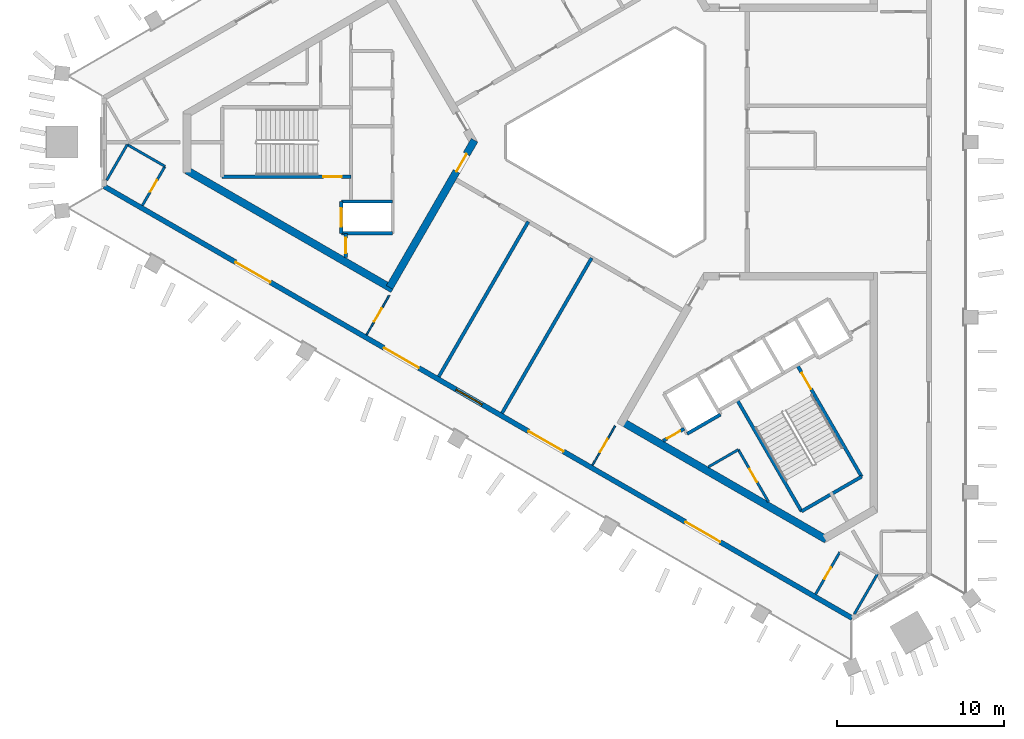
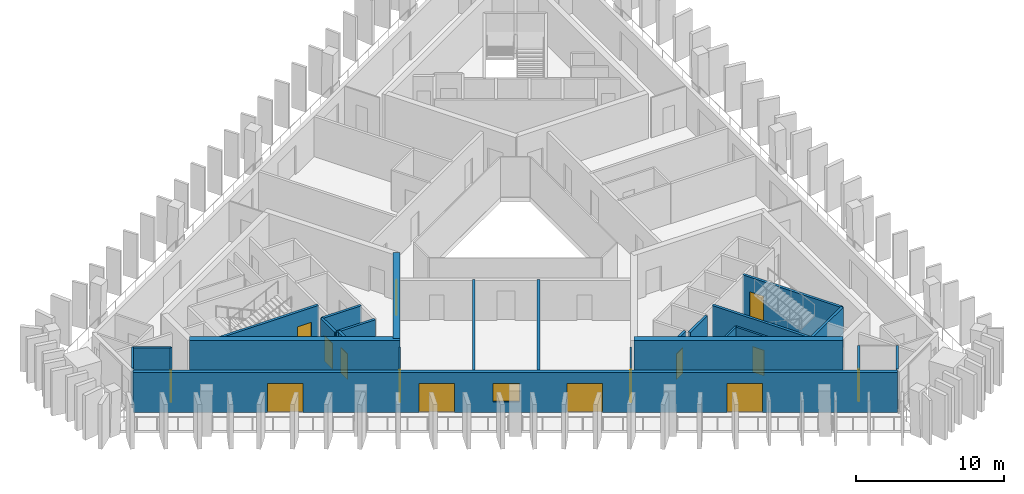
# One storey, part 2 of 9: 25 walls, 15 doors, 1 window, 16 openings.
"""IFC4 building model written with IfcOpenShell, lengths in metres."""

from ifc_helpers import new_model, si_unit, direction, frame, frame_2d, origin, place, context, subcontext, project, spatial, rectangle, extrude, material, layer, layer_set, type_object, element, fill, save


model = new_model("IFC4")

# Units and contexts
model_context = context("Model", 3, precision=1e-05, world=origin(), true_north=direction((0.0, 1.0)))
body_context = subcontext(model_context, "Body", "Model", "MODEL_VIEW")
ifc_project = project(units=[si_unit("LENGTHUNIT", "METRE"), si_unit("AREAUNIT", "SQUARE_METRE"), si_unit("VOLUMEUNIT", "CUBIC_METRE"), si_unit("PLANEANGLEUNIT", "RADIAN"), si_unit("MASSUNIT", "GRAM", prefix="KILO")], contexts=[model_context])

# Site, building, storey
site_placement = place(None, origin())
site = spatial("IfcSite", under=ifc_project, at=site_placement, CompositionType="ELEMENT")
building_placement = place(site_placement, origin())
building = spatial("IfcBuilding", under=site, at=building_placement, Name="Jabali Bay Hotel Tower and Convention Centre", CompositionType="ELEMENT")
storey_placement = place(building_placement, frame((0.0, 0.0, 205.800048828125)))
storey = spatial("IfcBuildingStorey", under=building, at=storey_placement, Name="L50", CompositionType="ELEMENT", Elevation=205.800048828125)

# Wall, opening, door
ifc_material_1 = material(Name="Concrete C40", Category="concrete")
ifc_layer_1 = layer(ifc_material_1, 0.199951171875)
ifc_layer_set_1 = layer_set([ifc_layer_1], Name="Concrete C40")
wall_type_1 = type_object("IfcWallType", Name="Core partition wall 200", PredefinedType="PARTITIONING", material=ifc_layer_set_1)
wall_1_placement = place(storey_placement, frame((58.10009765625, 74.550048828125, 0.0), z_axis=(0.0, 0.0, 1.0), x_axis=(0.0, -1.0, 0.0)))
wall_1 = element("IfcWall", 1, at=wall_1_placement, inside=storey, type_object=wall_type_1, Name="Core wall 0.11 L50", PredefinedType="PARTITIONING", context=body_context, shape_type="SweptSolid", body=[
    extrude(rectangle(XDim=1.455078125, YDim=0.199951171875, at=frame_2d((0.7275390625, 0.0))), origin(), (0.0, 0.0, 1.0), 3.300048828125),
])
opening_1_placement = place(wall_1_placement, frame((0.277587890625, 0.0, 0.0)))
opening_1 = element("IfcOpeningElement", 2, at=opening_1_placement, cuts=wall_1, Name="Opening D1079", PredefinedType="OPENING", context=body_context, shape_type="SweptSolid", body=[
    extrude(rectangle(XDim=0.89990234375, YDim=2.10009765625, at=frame_2d((0.449951171875, 1.050048828125))), frame((0.0, 0.1103515625, 0.0), z_axis=(0.0, -1.0, 0.0), x_axis=(1.0, 0.0, 0.0)), (0.0, 0.0, 1.0), 0.220947265625),
])
ifc_material_2 = material(Name="Fire-rated steel door", Category="steel")
door_type_1 = type_object("IfcDoorType", Name="Vestibule fire door 900 x 2100", OperationType="NOTDEFINED", PredefinedType="NOTDEFINED", material=ifc_material_2)
door_1_placement = place(opening_1_placement, origin())
door_1 = element("IfcDoor", 3, at=door_1_placement, inside=storey, type_object=door_type_1, Name="Vestibule fire door D1079", OperationType="SINGLE_SWING_LEFT", OverallHeight=2.10009765625, OverallWidth=0.89990234375, PredefinedType="NOTDEFINED", context=body_context, shape_type="SweptSolid", body=[
    extrude(rectangle(XDim=0.89990234375, YDim=2.10009765625, at=frame_2d((0.449951171875, 1.050048828125))), frame((0.0, 0.02490234375, 0.0), z_axis=(0.0, -1.0, 0.0), x_axis=(1.0, 0.0, 0.0)), (0.0, 0.0, 1.0), 0.050048828125),
])
fill(opening_1, door_1)

wall_2_placement = place(storey_placement, frame((77.070068359375, 62.142578125, 0.0), z_axis=(0.0, 0.0, 1.0), x_axis=(0.866013036001, 0.500021421018, 0.0)))
wall_2 = element("IfcWall", 4, at=wall_2_placement, inside=storey, type_object=wall_type_1, Name="Core wall 2.11 L50", PredefinedType="PARTITIONING", context=body_context, shape_type="SweptSolid", body=[
    extrude(rectangle(XDim=1.4609375, YDim=0.199951171875, at=frame_2d((0.73046875, 0.0))), origin(), (0.0, 0.0, 1.0), 3.300048828125),
])
opening_2_placement = place(wall_2_placement, frame((0.280517578125, 0.0, 0.0)))
opening_2 = element("IfcOpeningElement", 5, at=opening_2_placement, cuts=wall_2, Name="Opening D1092", PredefinedType="OPENING", context=body_context, shape_type="SweptSolid", body=[
    extrude(rectangle(XDim=0.89990234375, YDim=2.10009765625, at=frame_2d((0.449951171875, 1.050048828125))), frame((0.0, 0.1103515625, 0.0), z_axis=(0.0, -1.0, 0.0), x_axis=(1.0, 0.0, 0.0)), (0.0, 0.0, 1.0), 0.220947265625),
])
door_2_placement = place(opening_2_placement, origin())
door_2 = element("IfcDoor", 6, at=door_2_placement, inside=storey, type_object=door_type_1, Name="Vestibule fire door D1092", OperationType="SINGLE_SWING_LEFT", OverallHeight=2.10009765625, OverallWidth=0.89990234375, PredefinedType="NOTDEFINED", context=body_context, shape_type="SweptSolid", body=[
    extrude(rectangle(XDim=0.89990234375, YDim=2.10009765625, at=frame_2d((0.449951171875, 1.050048828125))), frame((0.0, 0.02490234375, 0.0), z_axis=(0.0, -1.0, 0.0), x_axis=(1.0, 0.0, 0.0)), (0.0, 0.0, 1.0), 0.050048828125),
])
fill(opening_2, door_2)

ifc_material_3 = material(Name="Fire-rated board partition")
ifc_layer_2 = layer(ifc_material_3, 0.14990234375)
ifc_layer_set_2 = layer_set([ifc_layer_2], Name="Fire-rated board partition")
wall_type_2 = type_object("IfcWallType", Name="Core room partition 150", PredefinedType="PARTITIONING", material=ifc_layer_set_2)
wall_3_placement = place(storey_placement, frame((81.56884765625, 61.622314453125, 0.0), z_axis=(0.0, 0.0, 1.0), x_axis=(0.500043557135, -0.866000254601, 0.0)))
wall_3 = element("IfcWall", 7, at=wall_3_placement, inside=storey, type_object=wall_type_2, Name="Core wall 2.1 L50", PredefinedType="PARTITIONING", context=body_context, shape_type="SweptSolid", body=[
    extrude(rectangle(XDim=3.597900390625, YDim=0.14990234375, at=frame_2d((1.798828125, 0.0))), origin(), (0.0, 0.0, 1.0), 3.300048828125),
])
opening_3_placement = place(wall_3_placement, frame((1.321533203125, 0.0, 0.0)))
opening_3 = element("IfcOpeningElement", 8, at=opening_3_placement, cuts=wall_3, Name="Opening D1094", PredefinedType="OPENING", context=body_context, shape_type="SweptSolid", body=[
    extrude(rectangle(XDim=0.89990234375, YDim=2.10009765625, at=frame_2d((0.449951171875, 1.050048828125))), frame((0.0, 0.08544921875, 0.0), z_axis=(0.0, -1.0, 0.0), x_axis=(1.0, 0.0, 0.0)), (0.0, 0.0, 1.0), 0.1708984375),
])
door_type_2 = type_object("IfcDoorType", Name="Core room door 900 x 2100", OperationType="NOTDEFINED", PredefinedType="NOTDEFINED", material=ifc_material_2)
door_3_placement = place(opening_3_placement, origin())
door_3 = element("IfcDoor", 9, at=door_3_placement, inside=storey, type_object=door_type_2, Name="Core room door D1094", OperationType="SINGLE_SWING_LEFT", OverallHeight=2.10009765625, OverallWidth=0.89990234375, PredefinedType="NOTDEFINED", context=body_context, shape_type="SweptSolid", body=[
    extrude(rectangle(XDim=0.89990234375, YDim=2.10009765625, at=frame_2d((0.449951171875, 1.050048828125))), frame((0.0, 0.02490234375, 0.0), z_axis=(0.0, -1.0, 0.0), x_axis=(1.0, 0.0, 0.0)), (0.0, 0.0, 1.0), 0.050048828125),
])
fill(opening_3, door_3)

# Wall
wall_4_placement = place(storey_placement, frame((79.77001953125, 60.583740234375, 0.0), z_axis=(0.0, 0.0, 1.0), x_axis=(0.866021168401, 0.500007335828, 0.0)))
element("IfcWall", 10, at=wall_4_placement, inside=storey, type_object=wall_type_2, Name="Core wall 2.16 L50", PredefinedType="PARTITIONING", context=body_context, shape_type="SweptSolid", body=[
    extrude(rectangle(XDim=2.0771484375, YDim=0.14990234375, at=frame_2d((1.03857421875, 0.0))), origin(), (0.0, 0.0, 1.0), 3.300048828125),
])

# Wall, opening, door
ifc_layer_3 = layer(ifc_material_1, 0.199951171875)
ifc_layer_set_3 = layer_set([ifc_layer_3], Name="Concrete C40")
wall_type_3 = type_object("IfcWallType", Name="Core stair wall 200", PredefinedType="SOLIDWALL", material=ifc_layer_set_3)
wall_5_placement = place(storey_placement, frame((58.419921875, 77.925048828125, 0.0), z_axis=(0.0, 0.0, 1.0), x_axis=(-1.0, 0.0, 0.0)))
wall_5 = element("IfcWall", 11, at=wall_5_placement, inside=storey, type_object=wall_type_3, Name="Core wall 0.6 L50", PredefinedType="SOLIDWALL", context=body_context, shape_type="SweptSolid", body=[
    extrude(rectangle(XDim=7.699951171875, YDim=0.199951171875, at=frame_2d((3.85009765625, 0.0))), origin(), (0.0, 0.0, 1.0), 3.300048828125),
])
opening_4_placement = place(wall_5_placement, frame((0.550048828125, 0.0, 0.0)))
opening_4 = element("IfcOpeningElement", 12, at=opening_4_placement, cuts=wall_5, Name="Opening D1081", PredefinedType="OPENING", context=body_context, shape_type="SweptSolid", body=[
    extrude(rectangle(XDim=1.10009765625, YDim=2.10009765625, at=frame_2d((0.550048828125, 1.050048828125))), frame((0.0, 0.1103515625, 0.0), z_axis=(0.0, -1.0, 0.0), x_axis=(1.0, 0.0, 0.0)), (0.0, 0.0, 1.0), 0.220947265625),
])
door_type_3 = type_object("IfcDoorType", Name="Stair fire door 1100 x 2100", OperationType="NOTDEFINED", PredefinedType="NOTDEFINED", material=ifc_material_2)
door_4_placement = place(opening_4_placement, origin())
door_4 = element("IfcDoor", 13, at=door_4_placement, inside=storey, type_object=door_type_3, Name="Stair fire door D1081", OperationType="SINGLE_SWING_RIGHT", OverallHeight=2.10009765625, OverallWidth=1.10009765625, PredefinedType="NOTDEFINED", context=body_context, shape_type="SweptSolid", body=[
    extrude(rectangle(XDim=1.10009765625, YDim=2.10009765625, at=frame_2d((0.550048828125, 1.050048828125))), frame((0.0, 0.02490234375, 0.0), z_axis=(0.0, -1.0, 0.0), x_axis=(1.0, 0.0, 0.0)), (0.0, 0.0, 1.0), 0.050048828125),
])
fill(opening_4, door_4)

# Walls
for number, where, z_axis, x_axis, name in (
    (14, (60.89990234375, 76.449951171875, 0.0), (0.0, 0.0, 1.0), (-1.0, 0.0, 0.0), "Core wall 0.7 L50"),
    (15, (60.89990234375, 74.550048828125, 0.0), (0.0, 0.0, 1.0), (-1.0, 0.0, 0.0), "Core wall 0.8 L50"),
):
    element("IfcWall", number, at=place(storey_placement, frame(where, z_axis=z_axis, x_axis=x_axis)), inside=storey, type_object=wall_type_3, Name=name, PredefinedType="SOLIDWALL", context=body_context, shape_type="SweptSolid", body=[
        extrude(rectangle(XDim=3.0498046875, YDim=0.199951171875, at=frame_2d((1.52490234375, 0.0))), origin(), (0.0, 0.0, 1.0), 3.300048828125),
    ])

# Wall, opening, door
wall_6_placement = place(storey_placement, frame((57.85009765625, 76.449951171875, 0.0), z_axis=(0.0, 0.0, 1.0), x_axis=(0.0, -1.0, 0.0)))
wall_6 = element("IfcWall", 16, at=wall_6_placement, inside=storey, type_object=wall_type_3, Name="Core wall 0.12 L50", PredefinedType="SOLIDWALL", context=body_context, shape_type="SweptSolid", body=[
    extrude(rectangle(XDim=1.89990234375, YDim=0.199951171875, at=frame_2d((0.949951171875, 0.0))), origin(), (0.0, 0.0, 1.0), 3.300048828125),
])
opening_5_placement = place(wall_6_placement, frame((0.39990234375, 0.0, 0.0)))
opening_5 = element("IfcOpeningElement", 17, at=opening_5_placement, cuts=wall_6, Name="Opening LD5-L50", PredefinedType="OPENING", context=body_context, shape_type="SweptSolid", body=[
    extrude(rectangle(XDim=1.10009765625, YDim=2.10009765625, at=frame_2d((0.550048828125, 1.050048828125))), frame((0.0, 0.1103515625, 0.0), z_axis=(0.0, -1.0, 0.0), x_axis=(1.0, 0.0, 0.0)), (0.0, 0.0, 1.0), 0.220947265625),
])
ifc_material_4 = material(Name="Stainless steel landing door", Category="steel")
door_type_4 = type_object("IfcDoorType", Name="Landing door 1100 x 2100", OperationType="NOTDEFINED", PredefinedType="NOTDEFINED", material=ifc_material_4)
door_5_placement = place(opening_5_placement, origin())
door_5 = element("IfcDoor", 18, at=door_5_placement, inside=storey, type_object=door_type_4, Name="Landing doors LD5-L50", OperationType="SLIDING_TO_RIGHT", OverallHeight=2.10009765625, OverallWidth=1.10009765625, PredefinedType="NOTDEFINED", context=body_context, shape_type="SweptSolid", body=[
    extrude(rectangle(XDim=1.10009765625, YDim=2.10009765625, at=frame_2d((0.550048828125, 1.050048828125))), frame((0.0, 0.02490234375, 0.0), z_axis=(0.0, -1.0, 0.0), x_axis=(1.0, 0.0, 0.0)), (0.0, 0.0, 1.0), 0.050048828125),
])
fill(opening_5, door_5)

# Wall
wall_7_placement = place(storey_placement, frame((81.492919921875, 64.603759765625, 0.0), z_axis=(0.0, 0.0, 1.0), x_axis=(0.500006057782, -0.866021906294, 0.0)))
element("IfcWall", 19, at=wall_7_placement, inside=storey, type_object=wall_type_3, Name="Core wall 2.3 L50", PredefinedType="SOLIDWALL", context=body_context, shape_type="SweptSolid", body=[
    extrude(rectangle(XDim=7.7001953125, YDim=0.199951171875, at=frame_2d((3.85009765625, 0.0))), origin(), (0.0, 0.0, 1.0), 3.300048828125),
])

# Wall, opening, door
wall_8_placement = place(storey_placement, frame((85.0869140625, 66.6787109375, 0.0), z_axis=(0.0, 0.0, 1.0), x_axis=(0.500019787375, -0.866013979237, 0.0)))
wall_8 = element("IfcWall", 20, at=wall_8_placement, inside=storey, type_object=wall_type_3, Name="Core wall 2.7 L50", PredefinedType="SOLIDWALL", context=body_context, shape_type="SweptSolid", body=[
    extrude(rectangle(XDim=7.699951171875, YDim=0.199951171875, at=frame_2d((3.85009765625, 0.0))), origin(), (0.0, 0.0, 1.0), 3.300048828125),
])
opening_6_placement = place(wall_8_placement, frame((0.550048828125, 0.0, 0.0)))
opening_6 = element("IfcOpeningElement", 21, at=opening_6_placement, cuts=wall_8, Name="Opening D1093", PredefinedType="OPENING", context=body_context, shape_type="SweptSolid", body=[
    extrude(rectangle(XDim=1.10009765625, YDim=2.10009765625, at=frame_2d((0.550048828125, 1.050048828125))), frame((0.0, 0.1103515625, 0.0), z_axis=(0.0, -1.0, 0.0), x_axis=(1.0, 0.0, 0.0)), (0.0, 0.0, 1.0), 0.220947265625),
])
door_6_placement = place(opening_6_placement, origin())
door_6 = element("IfcDoor", 22, at=door_6_placement, inside=storey, type_object=door_type_3, Name="Stair fire door D1093", OperationType="SINGLE_SWING_RIGHT", OverallHeight=2.10009765625, OverallWidth=1.10009765625, PredefinedType="NOTDEFINED", context=body_context, shape_type="SweptSolid", body=[
    extrude(rectangle(XDim=1.10009765625, YDim=2.10009765625, at=frame_2d((0.550048828125, 1.050048828125))), frame((0.0, 0.02490234375, 0.0), z_axis=(0.0, -1.0, 0.0), x_axis=(1.0, 0.0, 0.0)), (0.0, 0.0, 1.0), 0.050048828125),
])
fill(opening_6, door_6)

# Walls
wall_9_placement = place(storey_placement, frame((78.51025390625, 62.570068359375, 0.0), z_axis=(0.0, 0.0, 1.0), x_axis=(0.866053019151, 0.499952165731, 0.0)))
element("IfcWall", 23, at=wall_9_placement, inside=storey, type_object=wall_type_3, Name="Core wall 2.14 L50", PredefinedType="SOLIDWALL", context=body_context, shape_type="SweptSolid", body=[
    extrude(rectangle(XDim=2.300048828125, YDim=0.199951171875, at=frame_2d((1.14990234375, 0.0))), origin(), (0.0, 0.0, 1.0), 3.300048828125),
])
wall_10_placement = place(storey_placement, frame((85.343017578125, 57.935302734375, 0.0), z_axis=(0.0, 0.0, 1.0), x_axis=(0.866004344652, 0.500036473714, 0.0)))
element("IfcWall", 24, at=wall_10_placement, inside=storey, type_object=wall_type_3, Name="Core wall 2.17 L50", PredefinedType="SOLIDWALL", context=body_context, shape_type="SweptSolid", body=[
    extrude(rectangle(XDim=4.150146484375, YDim=0.199951171875, at=frame_2d((2.0751953125, 0.0))), origin(), (0.0, 0.0, 1.0), 3.300048828125),
])
ifc_material_5 = material(Name="Concrete C60", Category="concrete")
ifc_layer_4 = layer(ifc_material_5, 0.449951171875)
ifc_layer_set_4 = layer_set([ifc_layer_4], Name="Concrete C60")
wall_type_4 = type_object("IfcWallType", Name="Core wall 450", PredefinedType="SHEAR", material=ifc_layer_set_4)
wall_11_placement = place(storey_placement, frame((48.621826171875, 78.307373046875, 0.0), z_axis=(0.0, 0.0, 1.0), x_axis=(0.86602701116, -0.499997215934, 0.0)))
element("IfcWall", 25, at=wall_11_placement, inside=storey, type_object=wall_type_4, Name="Core wall 1.4 L50", PredefinedType="SHEAR", context=body_context, shape_type="SweptSolid", body=[
    extrude(rectangle(XDim=14.20361328125, YDim=0.449951171875, at=frame_2d((7.101806640625, 0.0))), origin(), (0.0, 0.0, 1.0), 3.699951171875),
])

# Wall, opening, door
wall_12_placement = place(storey_placement, frame((60.7275390625, 71.318115234375, 0.0), z_axis=(0.0, 0.0, 1.0), x_axis=(0.500012416173, 0.866018235185, 0.0)))
wall_12 = element("IfcWall", 26, at=wall_12_placement, inside=storey, type_object=wall_type_4, Name="Core wall 1.5 L50", PredefinedType="SHEAR", context=body_context, shape_type="SweptSolid", body=[
    extrude(rectangle(XDim=10.155029296875, YDim=0.449951171875, at=frame_2d((5.07763671875, 0.0))), origin(), (0.0, 0.0, 1.0), 3.699951171875),
])
opening_7_placement = place(wall_12_placement, frame((8.0048828125, 0.0, 0.0)))
opening_7 = element("IfcOpeningElement", 27, at=opening_7_placement, cuts=wall_12, Name="Opening D1074", PredefinedType="OPENING", context=body_context, shape_type="SweptSolid", body=[
    extrude(rectangle(XDim=1.199951171875, YDim=2.10009765625, at=frame_2d((0.60009765625, 1.050048828125))), frame((0.0, 0.2353515625, 0.0), z_axis=(0.0, -1.0, 0.0), x_axis=(1.0, 0.0, 0.0)), (0.0, 0.0, 1.0), 0.470947265625),
])
door_type_5 = type_object("IfcDoorType", Name="Corridor end fire door 1200 x 2100", OperationType="NOTDEFINED", PredefinedType="NOTDEFINED", material=ifc_material_2)
door_7_placement = place(opening_7_placement, origin())
door_7 = element("IfcDoor", 28, at=door_7_placement, inside=storey, type_object=door_type_5, Name="Corridor end fire door D1074", OperationType="SINGLE_SWING_LEFT", OverallHeight=2.10009765625, OverallWidth=1.199951171875, PredefinedType="NOTDEFINED", context=body_context, shape_type="SweptSolid", body=[
    extrude(rectangle(XDim=1.199951171875, YDim=2.10009765625, at=frame_2d((0.60009765625, 1.050048828125))), frame((0.0, 0.02490234375, 0.0), z_axis=(0.0, -1.0, 0.0), x_axis=(1.0, 0.0, 0.0)), (0.0, 0.0, 1.0), 0.050048828125),
])
fill(opening_7, door_7)

# Wall
wall_13_placement = place(storey_placement, frame((74.617431640625, 63.298828125, 0.0), z_axis=(0.0, 0.0, 1.0), x_axis=(0.86602594008, -0.499999071108, 0.0)))
element("IfcWall", 29, at=wall_13_placement, inside=storey, type_object=wall_type_4, Name="Core wall 3.2 L50", PredefinedType="SHEAR", context=body_context, shape_type="SweptSolid", body=[
    extrude(rectangle(XDim=14.1083984375, YDim=0.449951171875, at=frame_2d((7.05419921875, 0.0))), origin(), (0.0, 0.0, 1.0), 3.699951171875),
])

# Wall, openings, doors, window
ifc_layer_5 = layer(ifc_material_1, 0.300048828125)
ifc_layer_set_5 = layer_set([ifc_layer_5], Name="Concrete C40")
wall_type_5 = type_object("IfcWallType", Name="External wall 300", PredefinedType="SOLIDWALL", material=ifc_layer_set_5)
wall_14_placement = place(storey_placement, frame((88.377197265625, 51.548828125, 0.0), z_axis=(0.0, 0.0, 1.0), x_axis=(-0.866024917385, 0.500000842468, 0.0)))
wall_14 = element("IfcWall", 30, at=wall_14_placement, inside=storey, type_object=wall_type_5, Name="External wall south-west face L50", PredefinedType="SOLIDWALL", context=body_context, shape_type="SweptSolid", body=[
    extrude(rectangle(XDim=51.62109375, YDim=0.300048828125, at=frame_2d((25.810546875, 0.0))), origin(), (0.0, 0.0, 1.0), 3.300048828125),
])
opening_8_placement = place(wall_14_placement, frame((29.91064453125, 0.0, 0.0)))
opening_8 = element("IfcOpeningElement", 31, at=opening_8_placement, cuts=wall_14, Name="Opening SD1", PredefinedType="OPENING", context=body_context, shape_type="SweptSolid", body=[
    extrude(rectangle(XDim=2.39990234375, YDim=2.39990234375, at=frame_2d((1.199951171875, 1.199951171875))), frame((0.0, 0.16064453125, 0.0), z_axis=(0.0, -1.0, 0.0), x_axis=(1.0, 0.0, 0.0)), (0.0, 0.0, 1.0), 0.321044921875),
])
opening_9_placement = place(wall_14_placement, frame((40.14697265625, 0.0, 0.0)))
opening_9 = element("IfcOpeningElement", 32, at=opening_9_placement, cuts=wall_14, Name="Opening SD1", PredefinedType="OPENING", context=body_context, shape_type="SweptSolid", body=[
    extrude(rectangle(XDim=2.39990234375, YDim=2.39990234375, at=frame_2d((1.199951171875, 1.199951171875))), frame((0.0, 0.16064453125, 0.0), z_axis=(0.0, -1.0, 0.0), x_axis=(1.0, 0.0, 0.0)), (0.0, 0.0, 1.0), 0.321044921875),
])
opening_10_placement = place(wall_14_placement, frame((19.93408203125, 0.0, 0.0)))
opening_10 = element("IfcOpeningElement", 33, at=opening_10_placement, cuts=wall_14, Name="Opening SD1", PredefinedType="OPENING", context=body_context, shape_type="SweptSolid", body=[
    extrude(rectangle(XDim=2.39990234375, YDim=2.39990234375, at=frame_2d((1.199951171875, 1.199951171875))), frame((0.0, 0.16064453125, 0.0), z_axis=(0.0, -1.0, 0.0), x_axis=(1.0, 0.0, 0.0)), (0.0, 0.0, 1.0), 0.321044921875),
])
opening_11_placement = place(wall_14_placement, frame((9.107421875, 0.0, 0.0)))
opening_11 = element("IfcOpeningElement", 34, at=opening_11_placement, cuts=wall_14, Name="Opening SD1", PredefinedType="OPENING", context=body_context, shape_type="SweptSolid", body=[
    extrude(rectangle(XDim=2.39990234375, YDim=2.39990234375, at=frame_2d((1.199951171875, 1.199951171875))), frame((0.0, 0.16064453125, 0.0), z_axis=(0.0, -1.0, 0.0), x_axis=(1.0, 0.0, 0.0)), (0.0, 0.0, 1.0), 0.321044921875),
])
opening_12_placement = place(wall_14_placement, frame((25.5341796875, 0.0, 0.89990234375)))
opening_12 = element("IfcOpeningElement", 35, at=opening_12_placement, cuts=wall_14, Name="Opening W1", PredefinedType="OPENING", context=body_context, shape_type="SweptSolid", body=[
    extrude(rectangle(XDim=1.800048828125, YDim=1.5, at=frame_2d((0.89990234375, 0.75))), frame((0.0, 0.16064453125, 0.0), z_axis=(0.0, -1.0, 0.0), x_axis=(1.0, 0.0, 0.0)), (0.0, 0.0, 1.0), 0.321044921875),
])
ifc_material_6 = material(Name="Glass", Category="glass")
door_type_6 = type_object("IfcDoorType", Name="Loggia sliding door 2400 x 2400", OperationType="NOTDEFINED", PredefinedType="NOTDEFINED", material=ifc_material_6)
door_8_placement = place(opening_8_placement, origin())
door_8 = element("IfcDoor", 36, at=door_8_placement, inside=storey, type_object=door_type_6, Name="Loggia sliding door 5007", OperationType="SLIDING_TO_LEFT", OverallHeight=2.39990234375, OverallWidth=2.39990234375, PredefinedType="NOTDEFINED", context=body_context, shape_type="SweptSolid", body=[
    extrude(rectangle(XDim=2.39990234375, YDim=2.39990234375, at=frame_2d((1.199951171875, 1.199951171875))), frame((0.0, 0.02490234375, 0.0), z_axis=(0.0, -1.0, 0.0), x_axis=(1.0, 0.0, 0.0)), (0.0, 0.0, 1.0), 0.050048828125),
])
fill(opening_8, door_8)
door_9_placement = place(opening_9_placement, origin())
door_9 = element("IfcDoor", 37, at=door_9_placement, inside=storey, type_object=door_type_6, Name="Loggia sliding door 5007", OperationType="SLIDING_TO_RIGHT", OverallHeight=2.39990234375, OverallWidth=2.39990234375, PredefinedType="NOTDEFINED", context=body_context, shape_type="SweptSolid", body=[
    extrude(rectangle(XDim=2.39990234375, YDim=2.39990234375, at=frame_2d((1.199951171875, 1.199951171875))), frame((0.0, 0.02490234375, 0.0), z_axis=(0.0, -1.0, 0.0), x_axis=(1.0, 0.0, 0.0)), (0.0, 0.0, 1.0), 0.050048828125),
])
fill(opening_9, door_9)
door_10_placement = place(opening_10_placement, origin())
door_10 = element("IfcDoor", 38, at=door_10_placement, inside=storey, type_object=door_type_6, Name="Loggia sliding door 5008", OperationType="SLIDING_TO_LEFT", OverallHeight=2.39990234375, OverallWidth=2.39990234375, PredefinedType="NOTDEFINED", context=body_context, shape_type="SweptSolid", body=[
    extrude(rectangle(XDim=2.39990234375, YDim=2.39990234375, at=frame_2d((1.199951171875, 1.199951171875))), frame((0.0, 0.02490234375, 0.0), z_axis=(0.0, -1.0, 0.0), x_axis=(1.0, 0.0, 0.0)), (0.0, 0.0, 1.0), 0.050048828125),
])
fill(opening_10, door_10)
door_11_placement = place(opening_11_placement, origin())
door_11 = element("IfcDoor", 39, at=door_11_placement, inside=storey, type_object=door_type_6, Name="Loggia sliding door 5008", OperationType="SLIDING_TO_RIGHT", OverallHeight=2.39990234375, OverallWidth=2.39990234375, PredefinedType="NOTDEFINED", context=body_context, shape_type="SweptSolid", body=[
    extrude(rectangle(XDim=2.39990234375, YDim=2.39990234375, at=frame_2d((1.199951171875, 1.199951171875))), frame((0.0, 0.02490234375, 0.0), z_axis=(0.0, -1.0, 0.0), x_axis=(1.0, 0.0, 0.0)), (0.0, 0.0, 1.0), 0.050048828125),
])
fill(opening_11, door_11)
window_type = type_object("IfcWindowType", Name="Window 1800 x 1500", PartitioningType="SINGLE_PANEL", PredefinedType="WINDOW", material=ifc_material_6)
window_placement = place(opening_12_placement, origin())
window = element("IfcWindow", 40, at=window_placement, inside=storey, type_object=window_type, Name="Window", OverallHeight=1.5, OverallWidth=1.800048828125, PartitioningType="SINGLE_PANEL", PredefinedType="WINDOW", context=body_context, shape_type="SweptSolid", body=[
    extrude(rectangle(XDim=1.800048828125, YDim=1.5, at=frame_2d((0.89990234375, 0.75))), frame((0.0, 0.030029296875, 0.0), z_axis=(0.0, -1.0, 0.0), x_axis=(1.0, 0.0, 0.0)), (0.0, 0.0, 1.0), 0.06005859375),
])
fill(opening_12, window)

# Wall, opening, door
ifc_material_7 = material(Name="Plasterboard on steel stud", Category="steel")
ifc_layer_6 = layer(ifc_material_7, 0.10009765625)
ifc_layer_set_6 = layer_set([ifc_layer_6], Name="Plasterboard on steel stud")
wall_type_6 = type_object("IfcWallType", Name="Partition 100 unit", PredefinedType="PARTITIONING", material=ifc_layer_set_6)
wall_15_placement = place(storey_placement, frame((60.71044921875, 70.83837890625, 0.0), z_axis=(0.0, 0.0, 1.0), x_axis=(-0.499957886064, -0.866049716911, 0.0)))
wall_15 = element("IfcWall", 41, at=wall_15_placement, inside=storey, type_object=wall_type_6, Name="Partition P02 L50 029", PredefinedType="PARTITIONING", context=body_context, shape_type="SweptSolid", body=[
    extrude(rectangle(XDim=2.722900390625, YDim=0.10009765625, at=frame_2d((1.361328125, 0.0))), origin(), (0.0, 0.0, 1.0), 3.300048828125),
])
opening_13_placement = place(wall_15_placement, frame((0.910888671875, 0.0, 0.0)))
opening_13 = element("IfcOpeningElement", 42, at=opening_13_placement, cuts=wall_15, Name="Opening 5018", PredefinedType="OPENING", context=body_context, shape_type="SweptSolid", body=[
    extrude(rectangle(XDim=0.89990234375, YDim=2.10009765625, at=frame_2d((0.449951171875, 1.050048828125))), frame((0.0, 0.060546875, 0.0), z_axis=(0.0, -1.0, 0.0), x_axis=(1.0, 0.0, 0.0)), (0.0, 0.0, 1.0), 0.12109375),
])
ifc_material_8 = material(Name="Timber", Category="wood")
door_type_7 = type_object("IfcDoorType", Name="Internal door 900 x 2100", OperationType="NOTDEFINED", PredefinedType="NOTDEFINED", material=ifc_material_8)
door_12_placement = place(opening_13_placement, origin())
door_12 = element("IfcDoor", 43, at=door_12_placement, inside=storey, type_object=door_type_7, Name="Door 5018", OperationType="SINGLE_SWING_LEFT", OverallHeight=2.10009765625, OverallWidth=0.89990234375, PredefinedType="NOTDEFINED", context=body_context, shape_type="SweptSolid", body=[
    extrude(rectangle(XDim=0.89990234375, YDim=2.10009765625, at=frame_2d((0.449951171875, 1.050048828125))), frame((0.0, 0.02490234375, 0.0), z_axis=(0.0, -1.0, 0.0), x_axis=(1.0, 0.0, 0.0)), (0.0, 0.0, 1.0), 0.050048828125),
])
fill(opening_13, door_12)

wall_16_placement = place(storey_placement, frame((72.84912109375, 60.68603515625, 0.0), z_axis=(0.0, 0.0, 1.0), x_axis=(0.499957886064, 0.866049716911, 0.0)))
wall_16 = element("IfcWall", 44, at=wall_16_placement, inside=storey, type_object=wall_type_6, Name="Partition P02 L50 035", PredefinedType="PARTITIONING", context=body_context, shape_type="SweptSolid", body=[
    extrude(rectangle(XDim=2.722900390625, YDim=0.10009765625, at=frame_2d((1.361328125, 0.0))), origin(), (0.0, 0.0, 1.0), 3.300048828125),
])
opening_14_placement = place(wall_16_placement, frame((0.910888671875, 0.0, 0.0)))
opening_14 = element("IfcOpeningElement", 45, at=opening_14_placement, cuts=wall_16, Name="Opening 5022", PredefinedType="OPENING", context=body_context, shape_type="SweptSolid", body=[
    extrude(rectangle(XDim=0.89990234375, YDim=2.10009765625, at=frame_2d((0.449951171875, 1.050048828125))), frame((0.0, 0.060546875, 0.0), z_axis=(0.0, -1.0, 0.0), x_axis=(1.0, 0.0, 0.0)), (0.0, 0.0, 1.0), 0.12109375),
])
door_13_placement = place(opening_14_placement, origin())
door_13 = element("IfcDoor", 46, at=door_13_placement, inside=storey, type_object=door_type_7, Name="Door 5022", OperationType="SINGLE_SWING_LEFT", OverallHeight=2.10009765625, OverallWidth=0.89990234375, PredefinedType="NOTDEFINED", context=body_context, shape_type="SweptSolid", body=[
    extrude(rectangle(XDim=0.89990234375, YDim=2.10009765625, at=frame_2d((0.449951171875, 1.050048828125))), frame((0.0, 0.02490234375, 0.0), z_axis=(0.0, -1.0, 0.0), x_axis=(1.0, 0.0, 0.0)), (0.0, 0.0, 1.0), 0.050048828125),
])
fill(opening_14, door_13)

# Walls
ifc_layer_7 = layer(ifc_material_7, 0.14990234375)
ifc_layer_set_7 = layer_set([ifc_layer_7], Name="Plasterboard on steel stud")
wall_type_7 = type_object("IfcWallType", Name="Partition 150 wet", PredefinedType="PARTITIONING", material=ifc_layer_set_7)
wall_17_placement = place(storey_placement, frame((43.821044921875, 77.7177734375, 0.0), z_axis=(0.0, 0.0, 1.0), x_axis=(0.49998543329, 0.866033813715, 0.0)))
element("IfcWall", 47, at=wall_17_placement, inside=storey, type_object=wall_type_7, Name="Partition P03 L50 031", PredefinedType="PARTITIONING", context=body_context, shape_type="SweptSolid", body=[
    extrude(rectangle(XDim=2.46435546875, YDim=0.14990234375, at=frame_2d((1.232177734375, 0.0))), origin(), (0.0, 0.0, 1.0), 3.300048828125),
])
wall_18_placement = place(storey_placement, frame((45.05322265625, 79.85205078125, 0.0), z_axis=(0.0, 0.0, 1.0), x_axis=(0.866021400173, -0.500006934395, 0.0)))
element("IfcWall", 48, at=wall_18_placement, inside=storey, type_object=wall_type_7, Name="Partition P03 L50 032", PredefinedType="PARTITIONING", context=body_context, shape_type="SweptSolid", body=[
    extrude(rectangle(XDim=2.60009765625, YDim=0.14990234375, at=frame_2d((1.300048828125, 0.0))), origin(), (0.0, 0.0, 1.0), 3.300048828125),
])

# Wall, opening, door
wall_19_placement = place(storey_placement, frame((47.304931640625, 78.552001953125, 0.0), z_axis=(0.0, 0.0, 1.0), x_axis=(-0.500077242023, -0.865980803489, 0.0)))
wall_19 = element("IfcWall", 49, at=wall_19_placement, inside=storey, type_object=wall_type_7, Name="Partition P03 L50 033", PredefinedType="PARTITIONING", context=body_context, shape_type="SweptSolid", body=[
    extrude(rectangle(XDim=2.7001953125, YDim=0.14990234375, at=frame_2d((1.35009765625, 0.0))), origin(), (0.0, 0.0, 1.0), 3.300048828125),
])
opening_15_placement = place(wall_19_placement, frame((0.949951171875, 0.0, 0.0)))
opening_15 = element("IfcOpeningElement", 50, at=opening_15_placement, cuts=wall_19, Name="Opening 5019", PredefinedType="OPENING", context=body_context, shape_type="SweptSolid", body=[
    extrude(rectangle(XDim=0.800048828125, YDim=2.10009765625, at=frame_2d((0.39990234375, 1.050048828125))), frame((0.0, 0.08544921875, 0.0), z_axis=(0.0, -1.0, 0.0), x_axis=(1.0, 0.0, 0.0)), (0.0, 0.0, 1.0), 0.1708984375),
])
door_type_8 = type_object("IfcDoorType", Name="En-suite door 800 x 2100", OperationType="NOTDEFINED", PredefinedType="NOTDEFINED", material=ifc_material_8)
door_14_placement = place(opening_15_placement, origin())
door_14 = element("IfcDoor", 51, at=door_14_placement, inside=storey, type_object=door_type_8, Name="Door 5019", OperationType="SINGLE_SWING_RIGHT", OverallHeight=2.10009765625, OverallWidth=0.800048828125, PredefinedType="NOTDEFINED", context=body_context, shape_type="SweptSolid", body=[
    extrude(rectangle(XDim=0.800048828125, YDim=2.10009765625, at=frame_2d((0.39990234375, 1.050048828125))), frame((0.0, 0.02490234375, 0.0), z_axis=(0.0, -1.0, 0.0), x_axis=(1.0, 0.0, 0.0)), (0.0, 0.0, 1.0), 0.050048828125),
])
fill(opening_15, door_14)

wall_20_placement = place(storey_placement, frame((86.18603515625, 52.986328125, 0.0), z_axis=(0.0, 0.0, 1.0), x_axis=(0.499987231761, 0.866032775405, 0.0)))
wall_20 = element("IfcWall", 52, at=wall_20_placement, inside=storey, type_object=wall_type_7, Name="Partition P03 L50 036", PredefinedType="PARTITIONING", context=body_context, shape_type="SweptSolid", body=[
    extrude(rectangle(XDim=2.89990234375, YDim=0.14990234375, at=frame_2d((1.449951171875, 0.0))), origin(), (0.0, 0.0, 1.0), 3.300048828125),
])
opening_16_placement = place(wall_20_placement, frame((1.050048828125, 0.0, 0.0)))
opening_16 = element("IfcOpeningElement", 53, at=opening_16_placement, cuts=wall_20, Name="Opening 5023", PredefinedType="OPENING", context=body_context, shape_type="SweptSolid", body=[
    extrude(rectangle(XDim=0.800048828125, YDim=2.10009765625, at=frame_2d((0.39990234375, 1.050048828125))), frame((0.0, 0.08544921875, 0.0), z_axis=(0.0, -1.0, 0.0), x_axis=(1.0, 0.0, 0.0)), (0.0, 0.0, 1.0), 0.1708984375),
])
door_15_placement = place(opening_16_placement, origin())
door_15 = element("IfcDoor", 54, at=door_15_placement, inside=storey, type_object=door_type_8, Name="Door 5023", OperationType="SINGLE_SWING_LEFT", OverallHeight=2.10009765625, OverallWidth=0.800048828125, PredefinedType="NOTDEFINED", context=body_context, shape_type="SweptSolid", body=[
    extrude(rectangle(XDim=0.800048828125, YDim=2.10009765625, at=frame_2d((0.39990234375, 1.050048828125))), frame((0.0, 0.02490234375, 0.0), z_axis=(0.0, -1.0, 0.0), x_axis=(1.0, 0.0, 0.0)), (0.0, 0.0, 1.0), 0.050048828125),
])
fill(opening_16, door_15)

# Walls
wall_21_placement = place(storey_placement, frame((89.8876953125, 54.19775390625, 0.0), z_axis=(0.0, 0.0, 1.0), x_axis=(-0.500021497287, -0.866012991964, 0.0)))
element("IfcWall", 55, at=wall_21_placement, inside=storey, type_object=wall_type_7, Name="Partition P03 L50 038", PredefinedType="PARTITIONING", context=body_context, shape_type="SweptSolid", body=[
    extrude(rectangle(XDim=2.77978515625, YDim=0.14990234375, at=frame_2d((1.389892578125, 0.0))), origin(), (0.0, 0.0, 1.0), 3.300048828125),
])
ifc_layer_8 = layer(ifc_material_7, 0.199951171875)
ifc_layer_set_8 = layer_set([ifc_layer_8], Name="Plasterboard on steel stud")
wall_type_8 = type_object("IfcWallType", Name="Partition 200 party", PredefinedType="PARTITIONING", material=ifc_layer_set_8)
for number, where, z_axis, x_axis, name in (
    (56, (63.669189453125, 65.986083984375, 0.0), (0.0, 0.0, 1.0), (0.499993653641, 0.866029067825, 0.0), "Partition P01 L50 030"),
    (57, (67.44921875, 63.8037109375, 0.0), (0.0, 0.0, 1.0), (0.499993653641, 0.866029067825, 0.0), "Partition P01 L50 034"),
):
    element("IfcWall", number, at=place(storey_placement, frame(where, z_axis=z_axis, x_axis=x_axis)), inside=storey, type_object=wall_type_8, Name=name, PredefinedType="PARTITIONING", context=body_context, shape_type="SweptSolid", body=[
        extrude(rectangle(XDim=10.701904296875, YDim=0.199951171875, at=frame_2d((5.35107421875, 0.0))), origin(), (0.0, 0.0, 1.0), 3.300048828125),
    ])

save(model, "model.ifc")
